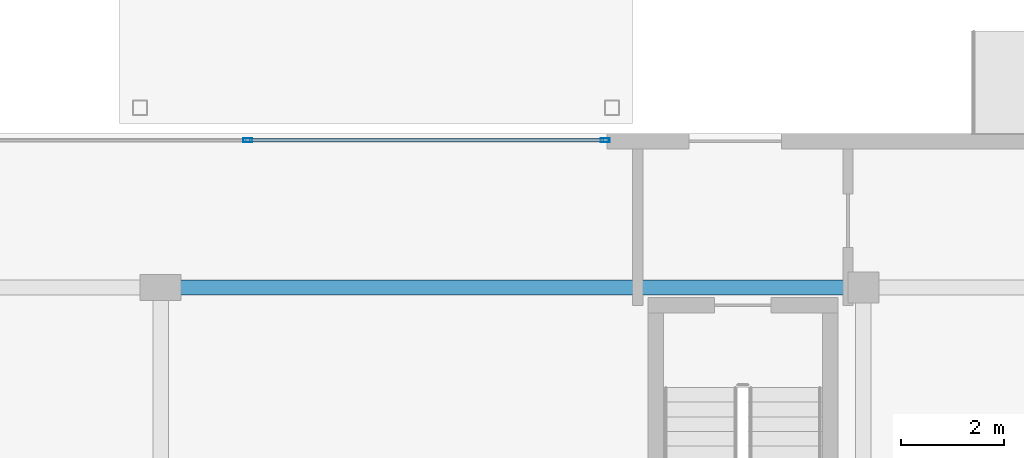
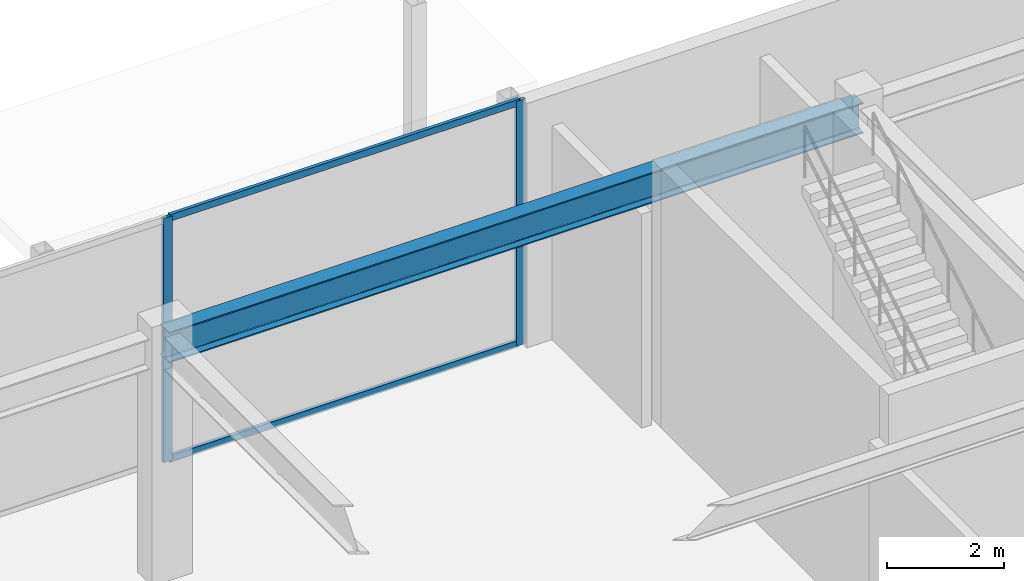
# One storey, part 17 of 28: 4 members, 1 beam, 1 element without a shape of its own.
"""IFC4 building model written with IfcOpenShell, lengths in metres."""

import ifcopenshell
import ifcopenshell.guid

model = None  # the IFC model being written
_history = None  # IfcOwnerHistory: only IFC2X3 demands one
_inside = {}  # id of a spatial element -> (the spatial element, [elements in it])
_under = {}  # id of a project, library or spatial element -> (it, [spatial elements below it])
_declared = {}  # id of a project -> (the project, [libraries it declares])
_typed = {}  # id of a type object -> (the type object, [elements of that type])
_made_of = {}  # id of a material, layer set ... -> (it, [elements and type objects made of it])


def new_model(schema):
    """Start an empty IFC model of exactly this schema.

    Asked for "IFC4X3", IfcOpenShell would pick the latest addendum, in which some entities
    have other attributes; the version numbers below select the first issue.
    IFC2X3 requires an IfcOwnerHistory on every rooted entity: one is made here for all.
    """
    global model, _history
    if schema == "IFC4X3":
        model = ifcopenshell.file(schema_version=(4, 3, 0, 0))
    else:
        model = ifcopenshell.file(schema=schema)
    _inside.clear()
    _under.clear()
    _declared.clear()
    _typed.clear()
    _made_of.clear()
    _history = None
    if model.schema == "IFC2X3":
        org = make("IfcOrganization", Name="unknown")
        user = make(
            "IfcPersonAndOrganization",
            ThePerson=make("IfcPerson", FamilyName="unknown"),
            TheOrganization=org,
        )
        app = make(
            "IfcApplication",
            ApplicationDeveloper=org,
            Version="unknown",
            ApplicationFullName="unknown",
            ApplicationIdentifier="unknown",
        )
        _history = make(
            "IfcOwnerHistory",
            OwningUser=user,
            OwningApplication=app,
            ChangeAction="ADDED",
            CreationDate=0,
        )
    return model


def make(cls, **values):
    """One entity of the class cls with the attributes given. An attribute that is None is left unset."""
    return model.create_entity(
        cls, **{name: value for name, value in values.items() if value is not None}
    )


def rooted(cls, **values):
    """An entity with a GlobalId (a new one), such as an element, a storey or a relation."""
    return make(cls, GlobalId=ifcopenshell.guid.new(), OwnerHistory=_history, **values)


def si_unit(unit_type, name, prefix=None):
    """IfcSIUnit, for example si_unit("LENGTHUNIT", "METRE", prefix="MILLI")."""
    return make("IfcSIUnit", UnitType=unit_type, Prefix=prefix, Name=name)


def assignment(units):
    """IfcUnitAssignment: the units of a project."""
    return None if units is None else make("IfcUnitAssignment", Units=units)


def point(xyz):
    """IfcCartesianPoint."""
    return None if xyz is None else make("IfcCartesianPoint", Coordinates=xyz)


def direction(xyz):
    """IfcDirection."""
    return None if xyz is None else make("IfcDirection", DirectionRatios=xyz)


def frame(location, z_axis=None, x_axis=None):
    """IfcAxis2Placement3D, a coordinate frame: its origin and axes. An axis left out is left unset."""
    return make(
        "IfcAxis2Placement3D",
        Location=point(location),
        Axis=direction(z_axis),
        RefDirection=direction(x_axis),
    )


def frame_2d(location, x_axis=None):
    """IfcAxis2Placement2D, a coordinate frame in the plane: its origin and x axis."""
    return make(
        "IfcAxis2Placement2D", Location=point(location), RefDirection=direction(x_axis)
    )


def origin():
    """The frame at (0, 0, 0) with its axes left unset."""
    return frame((0.0, 0.0, 0.0))


def origin_2d():
    """The frame at (0, 0) in the plane with its x axis left unset."""
    return frame_2d((0.0, 0.0))


def place(relative_to, where):
    """IfcLocalPlacement: puts the frame where relative to a parent placement (None: the world)."""
    return make(
        "IfcLocalPlacement", PlacementRelTo=relative_to, RelativePlacement=where
    )


def context(
    kind, dimensions, precision=None, world=None, true_north=None, identifier=None
):
    """IfcGeometricRepresentationContext, for example the 3D "Model" context."""
    return make(
        "IfcGeometricRepresentationContext",
        ContextIdentifier=identifier,
        ContextType=kind,
        CoordinateSpaceDimension=dimensions,
        Precision=precision,
        WorldCoordinateSystem=world,
        TrueNorth=true_north,
    )


def subcontext(parent, identifier, kind, view, scale=None):
    """IfcGeometricRepresentationSubContext, for example "Body" below "Model"."""
    return make(
        "IfcGeometricRepresentationSubContext",
        ContextIdentifier=identifier,
        ContextType=kind,
        ParentContext=parent,
        TargetScale=scale,
        TargetView=view,
    )


def project(units=None, contexts=None):
    """IfcProject with its units and contexts."""
    return rooted(
        "IfcProject",
        Name="project",
        RepresentationContexts=contexts,
        UnitsInContext=assignment(units),
    )


def spatial(cls, under=None, at=None, **own):
    """A site, building, storey or space (cls), placed at a placement, below another one or the project."""
    s = rooted(cls, ObjectPlacement=at, **own)
    if under is not None:
        _under.setdefault(under.id(), (under, []))[1].append(s)
    return s


def profile(cls, at=None, kind="AREA", **sizes):
    """A parametric profile (cls). Its sizes go by their IFC names, for example OverallWidth=200.0."""
    return make(cls, ProfileType=kind, Position=at, **sizes)


def hollow_rectangle(**sizes):
    """IfcRectangleHollowProfileDef."""
    return profile("IfcRectangleHollowProfileDef", **sizes)


def i_section(**sizes):
    """IfcIShapeProfileDef."""
    return profile("IfcIShapeProfileDef", **sizes)


def extrude(swept, where, along, depth):
    """IfcExtrudedAreaSolid: the profile swept, set in the frame where, extruded along a direction by depth."""
    return make(
        "IfcExtrudedAreaSolid",
        SweptArea=swept,
        Position=where,
        ExtrudedDirection=direction(along),
        Depth=depth,
    )


def shape(context_of_items, identifier, shape_type, items):
    """IfcShapeRepresentation: the items that make up one representation, for example the "Body"."""
    return make(
        "IfcShapeRepresentation",
        ContextOfItems=context_of_items,
        RepresentationIdentifier=identifier,
        RepresentationType=shape_type,
        Items=items,
    )


def source(mapping_origin, context_of_items, identifier, shape_type, items):
    """IfcRepresentationMap: a shape defined once, which mapped items show again and again."""
    return make(
        "IfcRepresentationMap",
        MappingOrigin=mapping_origin,
        MappedRepresentation=shape(context_of_items, identifier, shape_type, items),
    )


def transform(
    local_origin,
    x_axis=None,
    y_axis=None,
    z_axis=None,
    scale=None,
    scale2=None,
    scale3=None,
    uniform=True,
):
    """IfcCartesianTransformationOperator3D, or its non-uniform kind. x_axis, y_axis, z_axis: its Axis1, 2, 3."""
    if uniform:
        return make(
            "IfcCartesianTransformationOperator3D",
            Axis1=direction(x_axis),
            Axis2=direction(y_axis),
            LocalOrigin=point(local_origin),
            Scale=scale,
            Axis3=direction(z_axis),
        )
    return make(
        "IfcCartesianTransformationOperator3DnonUniform",
        Axis1=direction(x_axis),
        Axis2=direction(y_axis),
        LocalOrigin=point(local_origin),
        Scale=scale,
        Axis3=direction(z_axis),
        Scale2=scale2,
        Scale3=scale3,
    )


def mapped(mapping_source, mapping_target):
    """IfcMappedItem: shows the shape of a source again, moved by a transform."""
    return make(
        "IfcMappedItem", MappingSource=mapping_source, MappingTarget=mapping_target
    )


def material(Name=None, Category=None):
    """IfcMaterial."""
    return make("IfcMaterial", Name=Name, Category=Category)


def material_profile(
    of_material, cross_section, Name=None, Category=None, Priority=None
):
    """IfcMaterialProfile: a cross section and its material."""
    return make(
        "IfcMaterialProfile",
        Name=Name,
        Material=of_material,
        Profile=cross_section,
        Priority=Priority,
        Category=Category,
    )


def profile_set(profiles, Name=None, composite=None):
    """IfcMaterialProfileSet."""
    return make(
        "IfcMaterialProfileSet",
        Name=Name,
        MaterialProfiles=profiles,
        CompositeProfile=composite,
    )


def made_of(thing, what):
    """Note that an element or type object is made of a material, layer set ...; save() writes the relation."""
    if what is not None:
        _made_of.setdefault(what.id(), (what, []))[1].append(thing)
    return thing


def type_object(cls, material=None, **own):
    """A type object (cls), such as IfcWallType, which elements share."""
    return made_of(rooted(cls, **own), material)


def type_shapes(of_type, sources):
    """Give a type object the sources (RepresentationMaps) that its elements show as mapped items."""
    of_type.RepresentationMaps = sources


def element(
    cls,
    number,
    at=None,
    inside=None,
    cuts=None,
    type_object=None,
    material=None,
    context=None,
    identifier="Body",
    shape_type=None,
    held_by="IfcProductDefinitionShape",
    body=None,
    shapes=None,
    **own,
):
    """One element of the class cls, such as IfcWall. Its Tag is "e" and its number.

    at: its placement. inside: the storey or other place that contains it. cuts: it is an
    opening in that element (IfcRelVoidsElement). A single representation is given by context,
    identifier, shape_type and body (its items); several are given by shapes. held_by: the class
    of the entity that holds the representations. save() writes the other relations.
    """
    e = rooted(cls, Tag="e%d" % number, ObjectPlacement=at, **own)
    if body is not None:
        shapes = [shape(context, identifier, shape_type, body)]
    if shapes is not None:
        e.Representation = make(held_by, Representations=shapes)
    if inside is not None:
        _inside.setdefault(inside.id(), (inside, []))[1].append(e)
    if cuts is not None:
        rooted(
            "IfcRelVoidsElement", RelatingBuildingElement=cuts, RelatedOpeningElement=e
        )
    if type_object is not None:
        _typed.setdefault(type_object.id(), (type_object, []))[1].append(e)
    return made_of(e, material)


def aggregate(whole, parts):
    """IfcRelAggregates: a whole, such as a stair, and the parts it consists of."""
    return rooted("IfcRelAggregates", RelatingObject=whole, RelatedObjects=parts)


def save(model, path):
    """Write the relations noted so far, then the file.

    IfcRelAggregates (storeys below a building ...), IfcRelContainedInSpatialStructure (elements
    in a storey), IfcRelDefinesByType, IfcRelAssociatesMaterial and IfcRelDeclares: one each for
    every whole, place, type object, material and project.
    """
    for whole, parts in _under.values():
        aggregate(whole, parts)
    for where, things in _inside.values():
        rooted(
            "IfcRelContainedInSpatialStructure",
            RelatedElements=things,
            RelatingStructure=where,
        )
    for kind, things in _typed.values():
        rooted("IfcRelDefinesByType", RelatedObjects=things, RelatingType=kind)
    for what, things in _made_of.values():
        rooted("IfcRelAssociatesMaterial", RelatedObjects=things, RelatingMaterial=what)
    for by, libraries in _declared.values():
        rooted("IfcRelDeclares", RelatingContext=by, RelatedDefinitions=libraries)
    model.write(path)


model = new_model("IFC4")

# Units and contexts
model_context = context("Model", 3, precision=1e-05, world=origin(), true_north=direction((0.0, 1.0)))
body_context = subcontext(model_context, "Body", "Model", "MODEL_VIEW")
ifc_project = project(units=[si_unit("LENGTHUNIT", "METRE"), si_unit("AREAUNIT", "SQUARE_METRE"), si_unit("VOLUMEUNIT", "CUBIC_METRE"), si_unit("PLANEANGLEUNIT", "RADIAN"), si_unit("MASSUNIT", "GRAM", prefix="KILO")], contexts=[model_context])

# Site, building, storey
site_placement = place(None, origin())
site = spatial("IfcSite", under=ifc_project, at=site_placement, CompositionType="ELEMENT")
building_placement = place(site_placement, origin())
building = spatial("IfcBuilding", under=site, at=building_placement, Name="Krantzveldt Concourse Tower", CompositionType="ELEMENT")
storey_placement = place(building_placement, origin())
storey = spatial("IfcBuildingStorey", under=building, at=storey_placement, Name="L00", CompositionType="ELEMENT", Elevation=0.0)

# Beam
ifc_material_1 = material(Name="Steel S355JR", Category="steel")
ifc_material_profile_1 = material_profile(ifc_material_1, i_section(OverallWidth=0.300048828125, OverallDepth=0.639892578125, WebThickness=0.013427734375, FlangeThickness=0.02587890625, FilletRadius=0.027099609375, at=origin_2d()), Name="Steel S355JR", Category="steel")
ifc_profile_set_1 = profile_set([ifc_material_profile_1], Name="Steel S355JR - HEA 650")
beam_type = type_object("IfcBeamType", Name="BM-B-HEA650", PredefinedType="BEAM", material=ifc_profile_set_1)
shared_shape_1 = source(origin(), body_context, "Body", "SweptSolid", [
    extrude(i_section(OverallWidth=0.300048828125, OverallDepth=0.639892578125, WebThickness=0.013427734375, FlangeThickness=0.02587890625, FilletRadius=0.027099609375, at=origin_2d()), origin(), (0.0, 0.0, 1.0), 13.699951171875),
])
type_shapes(beam_type, [shared_shape_1])
beam_placement = place(storey_placement, frame((46.800048828125, 50.10009765625, 4.780029296875), z_axis=(1.0, 0.0, 0.0), x_axis=(0.0, 1.0, 0.0)))
element("IfcBeam", 1, at=beam_placement, inside=storey, type_object=beam_type, Name="L00 Podium Primary Girder BG-NN3", PredefinedType="BEAM", context=body_context, shape_type="MappedRepresentation", body=[
    mapped(shared_shape_1, transform((0.0, 0.0, 0.0), x_axis=(1.0, 0.0, 0.0), y_axis=(0.0, 1.0, 0.0), z_axis=(0.0, 0.0, 1.0), scale=1.0)),
])

# Curtain wall, members
ifc_material_2 = material(Name="Anodised aluminium 6063-T6", Category="aluminium")
curtain_wall_type = type_object("IfcCurtainWallType", Name="CW1", PredefinedType="USERDEFINED", material=ifc_material_2)
curtain_wall_placement = place(storey_placement, origin())
curtain_wall = element("IfcCurtainWall", 2, at=curtain_wall_placement, inside=storey, type_object=curtain_wall_type, Name="CW-L00-NC2", ObjectType="UNITISED CURTAIN WALL", PredefinedType="USERDEFINED")
ifc_material_profile_2 = material_profile(ifc_material_2, hollow_rectangle(XDim=0.070068359375, YDim=0.179931640625, WallThickness=0.0048828125, at=origin_2d()), Name="Anodised aluminium 6063-T6", Category="aluminium")
ifc_profile_set_2 = profile_set([ifc_material_profile_2], Name="Anodised aluminium 6063-T6 - ALU-MULL 180x70x5")
member_type_1 = type_object("IfcMemberType", Name="CW-MUL-180", PredefinedType="MULLION", material=ifc_profile_set_2)
shared_shape_2 = source(origin(), body_context, "Body", "SweptSolid", [
    extrude(hollow_rectangle(XDim=0.070068359375, YDim=0.179931640625, WallThickness=0.0048828125, at=origin_2d()), origin(), (0.0, 0.0, 1.0), 5.10009765625),
])
type_shapes(member_type_1, [shared_shape_2])
member_1_placement = place(storey_placement, frame((55.465087890625, 52.969970703125, 0.0), z_axis=(0.0, 0.0, 1.0), x_axis=(0.0, -1.0, 0.0)))
member_1 = element("IfcMember", 3, at=member_1_placement, type_object=member_type_1, Name="CW-POD mullion 1", PredefinedType="MULLION", context=body_context, shape_type="MappedRepresentation", body=[
    mapped(shared_shape_2, transform((0.0, 0.0, 0.0), x_axis=(1.0, 0.0, 0.0), y_axis=(0.0, 1.0, 0.0), z_axis=(0.0, 0.0, 1.0), scale=1.0)),
])
member_2_placement = place(storey_placement, frame((48.5, 52.969970703125, 0.0), z_axis=(0.0, 0.0, 1.0), x_axis=(0.0, -1.0, 0.0)))
member_2 = element("IfcMember", 4, at=member_2_placement, type_object=member_type_1, Name="CW-POD mullion 2", PredefinedType="MULLION", context=body_context, shape_type="MappedRepresentation", body=[
    mapped(shared_shape_2, transform((0.0, 0.0, 0.0), x_axis=(1.0, 0.0, 0.0), y_axis=(0.0, 1.0, 0.0), z_axis=(0.0, 0.0, 1.0), scale=1.0)),
])
ifc_material_profile_3 = material_profile(ifc_material_2, hollow_rectangle(XDim=0.070068359375, YDim=0.139892578125, WallThickness=0.0048828125, at=origin_2d()), Name="Anodised aluminium 6063-T6", Category="aluminium")
ifc_profile_set_3 = profile_set([ifc_material_profile_3], Name="Anodised aluminium 6063-T6 - ALU-TRAN 140x70x5")
member_type_2 = type_object("IfcMemberType", Name="CW-TRN-150", PredefinedType="USERDEFINED", material=ifc_profile_set_3)
shared_shape_3 = source(origin(), body_context, "Body", "SweptSolid", [
    extrude(hollow_rectangle(XDim=0.070068359375, YDim=0.139892578125, WallThickness=0.0048828125, at=origin_2d()), origin(), (0.0, 0.0, 1.0), 6.89501953125),
])
type_shapes(member_type_2, [shared_shape_3])
member_3_placement = place(storey_placement, frame((55.429931640625, 52.969970703125, 0.034912109375), z_axis=(-1.0, 0.0, 0.0), x_axis=(0.0, -1.0, 0.0)))
member_3 = element("IfcMember", 5, at=member_3_placement, type_object=member_type_2, Name="CW-POD transom 1.1", ObjectType="TRANSOM", PredefinedType="USERDEFINED", context=body_context, shape_type="MappedRepresentation", body=[
    mapped(shared_shape_3, transform((0.0, 0.0, 0.0), x_axis=(1.0, 0.0, 0.0), y_axis=(0.0, 1.0, 0.0), z_axis=(0.0, 0.0, 1.0), scale=1.0)),
])
member_4_placement = place(storey_placement, frame((55.429931640625, 52.969970703125, 5.06494140625), z_axis=(-1.0, 0.0, 0.0), x_axis=(0.0, -1.0, 0.0)))
member_4 = element("IfcMember", 6, at=member_4_placement, type_object=member_type_2, Name="CW-POD transom 1.2", ObjectType="TRANSOM", PredefinedType="USERDEFINED", context=body_context, shape_type="MappedRepresentation", body=[
    mapped(shared_shape_3, transform((0.0, 0.0, 0.0), x_axis=(1.0, 0.0, 0.0), y_axis=(0.0, 1.0, 0.0), z_axis=(0.0, 0.0, 1.0), scale=1.0)),
])
aggregate(curtain_wall, [member_1, member_2, member_3, member_4])

save(model, "model.ifc")
